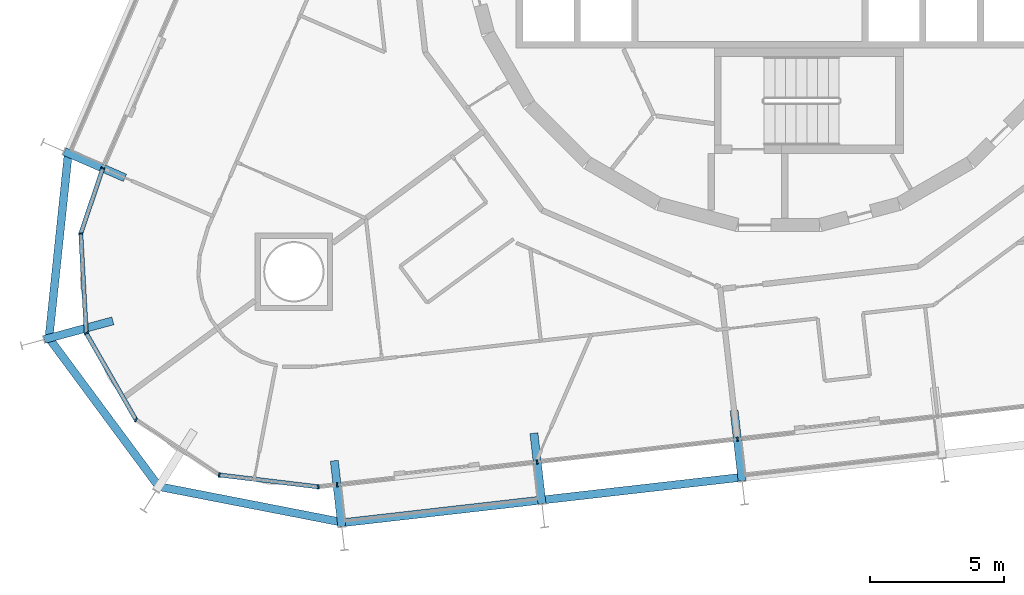
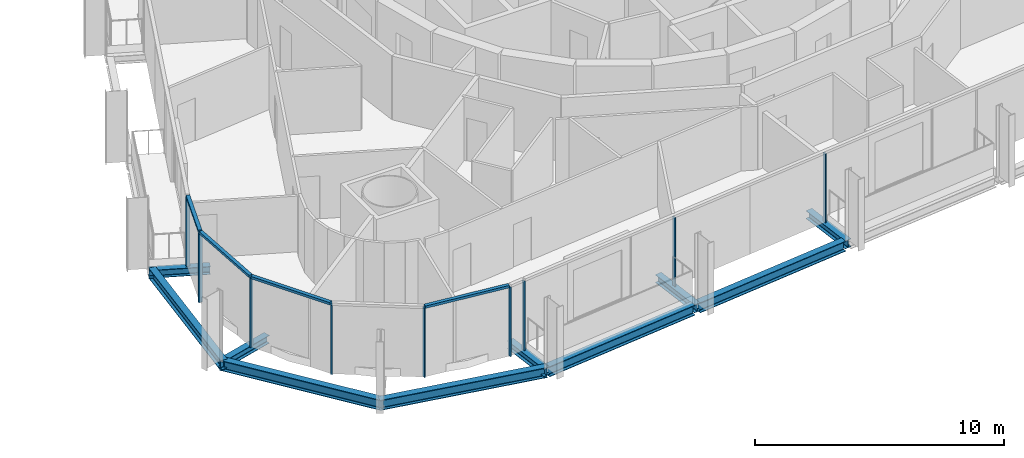
# One storey, part 3 of 24: 13 members, 10 beams, 2 elements without a shape of their own.
"""IFC4 building model written with IfcOpenShell, lengths in metres."""

from ifc_helpers import new_model, si_unit, direction, frame, origin, origin_2d, place, context, subcontext, project, spatial, rectangle, i_section, extrude, material, layer, layer_set, material_profile, profile_set, type_object, element, aggregate, save


model = new_model("IFC4")

# Units and contexts
model_context = context("Model", 3, precision=1e-05, world=origin(), true_north=direction((0.0, 1.0)))
body_context = subcontext(model_context, "Body", "Model", "MODEL_VIEW")
ifc_project = project(units=[si_unit("LENGTHUNIT", "METRE"), si_unit("AREAUNIT", "SQUARE_METRE"), si_unit("VOLUMEUNIT", "CUBIC_METRE"), si_unit("PLANEANGLEUNIT", "RADIAN"), si_unit("MASSUNIT", "GRAM", prefix="KILO")], contexts=[model_context])

# Site, building, storey
site_placement = place(None, origin())
site = spatial("IfcSite", under=ifc_project, at=site_placement, CompositionType="ELEMENT")
building_placement = place(site_placement, origin())
building = spatial("IfcBuilding", under=site, at=building_placement, Name="Spindle Arch Residences", CompositionType="ELEMENT")
storey_placement = place(building_placement, frame((0.0, 0.0, 87.199951171875)))
storey = spatial("IfcBuildingStorey", under=building, at=storey_placement, Name="L20", CompositionType="ELEMENT", Elevation=87.199951171875)

# Curtain wall, members
ifc_material_1 = material(Name="Aluminium bronze unitised frame with tinted glass", Category="aluminium")
ifc_layer_1 = layer(ifc_material_1, 0.159912109375)
ifc_layer_set_1 = layer_set([ifc_layer_1], Name="CW-D corner wall on the fillet arcs")
curtain_wall_type_1 = type_object("IfcCurtainWallType", Name="CW-D corner wall on the fillet arcs", PredefinedType="NOTDEFINED", material=ifc_layer_set_1)
curtain_wall_1_placement = place(storey_placement, origin())
curtain_wall_1 = element("IfcCurtainWall", 1, at=curtain_wall_1_placement, inside=storey, type_object=curtain_wall_type_1, Name="CW-D L20 run 5", PredefinedType="NOTDEFINED")
ifc_material_2 = material(Name="Aluminium bronze anodised mullion", Category="aluminium")
ifc_material_profile_1 = material_profile(ifc_material_2, rectangle(XDim=0.159912109375, YDim=0.06005859375, at=origin_2d()), Name="MU 60x160")
ifc_profile_set_1 = profile_set([ifc_material_profile_1], Name="Aluminium bronze anodised mullion")
member_type_1 = type_object("IfcMemberType", Name="Bronze mullion 60x160", PredefinedType="MULLION", material=ifc_profile_set_1)
member_1_placement = place(storey_placement, frame((-25.22900390625, -9.527099609375, -0.3798828125), z_axis=(0.0, 0.0, 1.0), x_axis=(0.947509671237, -0.319727106941, 0.0)))
member_1 = element("IfcMember", 2, at=member_1_placement, type_object=member_type_1, Name="CW-D mullion 00", PredefinedType="MULLION", context=body_context, shape_type="SweptSolid", body=[
    extrude(rectangle(XDim=0.159912109375, YDim=0.06005859375, at=origin_2d()), origin(), (0.0, 0.0, 1.0), 3.3798828125),
])
member_2_placement = place(storey_placement, frame((-26.052001953125, -11.96630859375, -0.3798828125), z_axis=(0.0, 0.0, 1.0), x_axis=(0.998473071057, 0.055240622495, 0.0)))
member_2 = element("IfcMember", 3, at=member_2_placement, type_object=member_type_1, Name="CW-D mullion 01", PredefinedType="MULLION", context=body_context, shape_type="SweptSolid", body=[
    extrude(rectangle(XDim=0.159912109375, YDim=0.06005859375, at=origin_2d()), origin(), (0.0, 0.0, 1.0), 3.3798828125),
])
member_3_placement = place(storey_placement, frame((-25.84619140625, -15.687255859375, -0.3798828125), z_axis=(0.0, 0.0, 1.0), x_axis=(0.867476179247, 0.497478721595, 0.0)))
member_3 = element("IfcMember", 4, at=member_3_placement, type_object=member_type_1, Name="CW-D mullion 02", PredefinedType="MULLION", context=body_context, shape_type="SweptSolid", body=[
    extrude(rectangle(XDim=0.159912109375, YDim=0.06005859375, at=origin_2d()), origin(), (0.0, 0.0, 1.0), 3.3798828125),
])
member_4_placement = place(storey_placement, frame((-23.9921875, -18.920166015625, -0.3798828125), z_axis=(0.0, 0.0, 1.0), x_axis=(0.551936987903, 0.833885820352, 0.0)))
member_4 = element("IfcMember", 5, at=member_4_placement, type_object=member_type_1, Name="CW-D mullion 03", PredefinedType="MULLION", context=body_context, shape_type="SweptSolid", body=[
    extrude(rectangle(XDim=0.159912109375, YDim=0.06005859375, at=origin_2d()), origin(), (0.0, 0.0, 1.0), 3.3798828125),
])
member_5_placement = place(storey_placement, frame((-20.884521484375, -20.97705078125, -0.3798828125), z_axis=(0.0, 0.0, 1.0), x_axis=(0.118981636756, 0.992896454881, 0.0)))
member_5 = element("IfcMember", 6, at=member_5_placement, type_object=member_type_1, Name="CW-D mullion 04", PredefinedType="MULLION", context=body_context, shape_type="SweptSolid", body=[
    extrude(rectangle(XDim=0.159912109375, YDim=0.06005859375, at=origin_2d()), origin(), (0.0, 0.0, 1.0), 3.3798828125),
])
member_6_placement = place(storey_placement, frame((-17.18408203125, -21.42041015625, -0.3798828125), z_axis=(0.0, 0.0, 1.0), x_axis=(-0.113203213768, 0.993571855677, 0.0)))
member_6 = element("IfcMember", 7, at=member_6_placement, type_object=member_type_1, Name="CW-D mullion 05", PredefinedType="MULLION", context=body_context, shape_type="SweptSolid", body=[
    extrude(rectangle(XDim=0.159912109375, YDim=0.06005859375, at=origin_2d()), origin(), (0.0, 0.0, 1.0), 3.3798828125),
])

ifc_material_3 = material(Name="Aluminium bronze unitised frame with tinted glass", Category="aluminium")
ifc_layer_2 = layer(ifc_material_3, 0.159912109375)
ifc_layer_set_2 = layer_set([ifc_layer_2], Name="CW-C typical residential unitised wall")
curtain_wall_type_2 = type_object("IfcCurtainWallType", Name="CW-C typical residential unitised wall", PredefinedType="NOTDEFINED", material=ifc_layer_set_2)
curtain_wall_2_placement = place(storey_placement, origin())
curtain_wall_2 = element("IfcCurtainWall", 8, at=curtain_wall_2_placement, inside=storey, type_object=curtain_wall_type_2, Name="CW-C L20 run 6", PredefinedType="NOTDEFINED")
member_7_placement = place(storey_placement, frame((-16.487060546875, -21.341064453125, -0.3798828125), z_axis=(0.0, 0.0, 1.0), x_axis=(-0.113203213768, 0.993571855677, 0.0)))
member_7 = element("IfcMember", 9, at=member_7_placement, type_object=member_type_1, Name="CW-C mullion 21", PredefinedType="MULLION", context=body_context, shape_type="SweptSolid", body=[
    extrude(rectangle(XDim=0.159912109375, YDim=0.06005859375, at=origin_2d()), origin(), (0.0, 0.0, 1.0), 3.3798828125),
])
member_8_placement = place(storey_placement, frame((-9.0166015625, -20.489990234375, -0.3798828125), z_axis=(0.0, 0.0, 1.0), x_axis=(-0.113203213768, 0.993571855677, 0.0)))
member_8 = element("IfcMember", 10, at=member_8_placement, type_object=member_type_1, Name="CW-C mullion 22", PredefinedType="MULLION", context=body_context, shape_type="SweptSolid", body=[
    extrude(rectangle(XDim=0.159912109375, YDim=0.06005859375, at=origin_2d()), origin(), (0.0, 0.0, 1.0), 3.3798828125),
])
member_9_placement = place(storey_placement, frame((-1.546142578125, -19.638671875, -0.3798828125), z_axis=(0.0, 0.0, 1.0), x_axis=(-0.113203213768, 0.993571855677, 0.0)))
member_9 = element("IfcMember", 11, at=member_9_placement, type_object=member_type_1, Name="CW-C mullion 23", PredefinedType="MULLION", context=body_context, shape_type="SweptSolid", body=[
    extrude(rectangle(XDim=0.159912109375, YDim=0.06005859375, at=origin_2d()), origin(), (0.0, 0.0, 1.0), 3.3798828125),
])
aggregate(curtain_wall_2, [member_7, member_8, member_9])

# Member
ifc_material_4 = material(Name="Aluminium bronze anodised transom", Category="aluminium")
ifc_material_profile_2 = material_profile(ifc_material_4, rectangle(XDim=0.159912109375, YDim=0.1201171875, at=origin_2d()), Name="TR 120x160")
ifc_profile_set_2 = profile_set([ifc_material_profile_2], Name="Aluminium bronze anodised transom")
member_type_2 = type_object("IfcMemberType", Name="Bronze transom 120x160", PredefinedType="USERDEFINED", material=ifc_profile_set_2)
member_10_placement = place(storey_placement, frame((-25.238525390625, -9.5556640625, 3.06005859375), z_axis=(-0.319779733892, -0.947491911201, 0.0), x_axis=(0.947491911201, -0.319779733892, 0.0)))
member_10 = element("IfcMember", 12, at=member_10_placement, type_object=member_type_2, Name="CW-D transom 00", ObjectType="TRANSOM", PredefinedType="USERDEFINED", context=body_context, shape_type="SweptSolid", body=[
    extrude(rectangle(XDim=0.159912109375, YDim=0.1201171875, at=origin_2d()), origin(), (0.0, 0.0, 1.0), 2.51416015625),
])

member_11_placement = place(storey_placement, frame((-26.05029296875, -11.99609375, 3.06005859375), z_axis=(0.055197130558, -0.998475476303, 0.0), x_axis=(0.998475476303, 0.055197130558, 0.0)))
member_11 = element("IfcMember", 13, at=member_11_placement, type_object=member_type_2, Name="CW-D transom 01", ObjectType="TRANSOM", PredefinedType="USERDEFINED", context=body_context, shape_type="SweptSolid", body=[
    extrude(rectangle(XDim=0.159912109375, YDim=0.1201171875, at=origin_2d()), origin(), (0.0, 0.0, 1.0), 3.666748046875),
])

member_12_placement = place(storey_placement, frame((-25.831298828125, -15.71337890625, 3.06005859375), z_axis=(0.497515065253, -0.867455335937, 0.0), x_axis=(0.867455335937, 0.497515065253, 0.0)))
member_12 = element("IfcMember", 14, at=member_12_placement, type_object=member_type_2, Name="CW-D transom 02", ObjectType="TRANSOM", PredefinedType="USERDEFINED", context=body_context, shape_type="SweptSolid", body=[
    extrude(rectangle(XDim=0.159912109375, YDim=0.1201171875, at=origin_2d()), origin(), (0.0, 0.0, 1.0), 3.666748046875),
])

member_13_placement = place(storey_placement, frame((-20.854736328125, -20.980712890625, 3.06005859375), z_axis=(0.992896987084, -0.118977195462, 0.0), x_axis=(0.118977195462, 0.992896987084, 0.0)))
member_13 = element("IfcMember", 15, at=member_13_placement, type_object=member_type_2, Name="CW-D transom 04", ObjectType="TRANSOM", PredefinedType="USERDEFINED", context=body_context, shape_type="SweptSolid", body=[
    extrude(rectangle(XDim=0.159912109375, YDim=0.1201171875, at=origin_2d()), origin(), (0.0, 0.0, 1.0), 3.6669921875),
])

aggregate(curtain_wall_1, [member_1, member_10, member_2, member_11, member_3, member_12, member_4, member_5, member_13, member_6])

# Beams
ifc_material_5 = material(Name="Steel S460ML, intumescent coating R 120", Category="steel")
ifc_material_profile_3 = material_profile(ifc_material_5, i_section(OverallWidth=0.300048828125, OverallDepth=0.5, WebThickness=0.014404296875, FlangeThickness=0.028076171875, FilletRadius=0.027099609375, at=origin_2d()), Name="HEB 500")
ifc_profile_set_3 = profile_set([ifc_material_profile_3], Name="Steel S460ML, intumescent coating R 120")
beam_type_1 = type_object("IfcBeamType", Name="Exoskeleton edge beam HEB 500", PredefinedType="BEAM", material=ifc_profile_set_3)
beam_1_placement = place(storey_placement, frame((-26.509521484375, -8.8935546875, -0.6298828125), z_axis=(-0.104068514681, -0.994570130384, 0.0), x_axis=(0.994570130384, -0.104068514681, 0.0)))
element("IfcBeam", 16, at=beam_1_placement, inside=storey, type_object=beam_type_1, Name="Exoskeleton edge beam 19", PredefinedType="BEAM", context=body_context, shape_type="SweptSolid", body=[
    extrude(i_section(OverallWidth=0.300048828125, OverallDepth=0.5, WebThickness=0.014404296875, FlangeThickness=0.028076171875, FilletRadius=0.027099609375, at=origin_2d()), origin(), (0.0, 0.0, 1.0), 7.09423828125),
])
beam_2_placement = place(storey_placement, frame((-27.297607421875, -15.791259765625, -0.6298828125), z_axis=(0.594811393653, -0.803865290942, 0.0), x_axis=(0.803865290942, 0.594811393653, 0.0)))
element("IfcBeam", 17, at=beam_2_placement, inside=storey, type_object=beam_type_1, Name="Exoskeleton edge beam 20", PredefinedType="BEAM", context=body_context, shape_type="SweptSolid", body=[
    extrude(i_section(OverallWidth=0.300048828125, OverallDepth=0.5, WebThickness=0.014404296875, FlangeThickness=0.028076171875, FilletRadius=0.027099609375, at=origin_2d()), origin(), (0.0, 0.0, 1.0), 7.08642578125),
])
beam_3_placement = place(storey_placement, frame((-23.218994140625, -21.39404296875, -0.6298828125), z_axis=(0.981537577594, -0.191269401033, 0.0), x_axis=(0.191269401033, 0.981537577594, 0.0)))
element("IfcBeam", 18, at=beam_3_placement, inside=storey, type_object=beam_type_1, Name="Exoskeleton edge beam 21", PredefinedType="BEAM", context=body_context, shape_type="SweptSolid", body=[
    extrude(i_section(OverallWidth=0.300048828125, OverallDepth=0.5, WebThickness=0.014404296875, FlangeThickness=0.028076171875, FilletRadius=0.027099609375, at=origin_2d()), origin(), (0.0, 0.0, 1.0), 7.09423828125),
])
for number, where, z_axis, x_axis, name in (
    (19, (-16.19580078125, -22.750244140625, -0.6298828125), (0.993570992395, 0.11321079044, 0.0), (-0.11321079044, 0.993570992395, 0.0), "Exoskeleton edge beam 22"),
    (20, (-8.725341796875, -21.899169921875, -0.6298828125), (0.993570992395, 0.11321079044, 0.0), (-0.11321079044, 0.993570992395, 0.0), "Exoskeleton edge beam 23"),
):
    element("IfcBeam", number, at=place(storey_placement, frame(where, z_axis=z_axis, x_axis=x_axis)), inside=storey, type_object=beam_type_1, Name=name, PredefinedType="BEAM", context=body_context, shape_type="SweptSolid", body=[
        extrude(i_section(OverallWidth=0.300048828125, OverallDepth=0.5, WebThickness=0.014404296875, FlangeThickness=0.028076171875, FilletRadius=0.027099609375, at=origin_2d()), origin(), (0.0, 0.0, 1.0), 7.2587890625),
    ])
ifc_material_6 = material(Name="Steel S460ML, intumescent coating R 120", Category="steel")
ifc_material_profile_4 = material_profile(ifc_material_6, i_section(OverallWidth=0.300048828125, OverallDepth=0.389892578125, WebThickness=0.010986328125, FlangeThickness=0.01904296875, FilletRadius=0.027099609375, at=origin_2d()), Name="HEA 400")
ifc_profile_set_4 = profile_set([ifc_material_profile_4], Name="Steel S460ML, intumescent coating R 120")
beam_type_2 = type_object("IfcBeamType", Name="Floor outrigger HEA 400", PredefinedType="BEAM", material=ifc_profile_set_4)
beam_4_placement = place(storey_placement, frame((-26.668701171875, -8.901123046875, -0.574951171875), z_axis=(0.917057489876, -0.398755012836, 0.0), x_axis=(0.398755012836, 0.917057489876, 0.0)))
element("IfcBeam", 21, at=beam_4_placement, inside=storey, type_object=beam_type_2, Name="Floor outrigger 19", PredefinedType="BEAM", context=body_context, shape_type="SweptSolid", body=[
    extrude(i_section(OverallWidth=0.300048828125, OverallDepth=0.389892578125, WebThickness=0.010986328125, FlangeThickness=0.01904296875, FilletRadius=0.027099609375, at=origin_2d()), origin(), (0.0, 0.0, 1.0), 2.47119140625),
])
beam_5_placement = place(storey_placement, frame((-27.41259765625, -15.918212890625, -0.574951171875), z_axis=(0.965139144412, 0.261737333837, 0.0), x_axis=(-0.261737333837, 0.965139144412, 0.0)))
element("IfcBeam", 22, at=beam_5_placement, inside=storey, type_object=beam_type_2, Name="Floor outrigger 20", PredefinedType="BEAM", context=body_context, shape_type="SweptSolid", body=[
    extrude(i_section(OverallWidth=0.300048828125, OverallDepth=0.389892578125, WebThickness=0.010986328125, FlangeThickness=0.01904296875, FilletRadius=0.027099609375, at=origin_2d()), origin(), (0.0, 0.0, 1.0), 2.64990234375),
])
beam_6_placement = place(storey_placement, frame((-16.309326171875, -22.90087890625, -0.574951171875), z_axis=(-0.113228917078, 0.993568926818, 0.0), x_axis=(-0.993568926818, -0.113228917078, 0.0)))
element("IfcBeam", 23, at=beam_6_placement, inside=storey, type_object=beam_type_2, Name="Floor outrigger 22", PredefinedType="BEAM", context=body_context, shape_type="SweptSolid", body=[
    extrude(i_section(OverallWidth=0.300048828125, OverallDepth=0.389892578125, WebThickness=0.010986328125, FlangeThickness=0.01904296875, FilletRadius=0.027099609375, at=origin_2d()), origin(), (0.0, 0.0, 1.0), 2.470947265625),
])
beam_7_placement = place(storey_placement, frame((-8.8388671875, -22.0498046875, -0.574951171875), z_axis=(-0.113232173128, 0.993568555747, 0.0), x_axis=(-0.993568555747, -0.113232173128, 0.0)))
element("IfcBeam", 24, at=beam_7_placement, inside=storey, type_object=beam_type_2, Name="Floor outrigger 23", PredefinedType="BEAM", context=body_context, shape_type="SweptSolid", body=[
    extrude(i_section(OverallWidth=0.300048828125, OverallDepth=0.389892578125, WebThickness=0.010986328125, FlangeThickness=0.01904296875, FilletRadius=0.027099609375, at=origin_2d()), origin(), (0.0, 0.0, 1.0), 2.64990234375),
])
beam_8_placement = place(storey_placement, frame((-1.368408203125, -21.19873046875, -0.574951171875), z_axis=(-0.113221808681, 0.993569736878, 0.0), x_axis=(-0.993569736878, -0.113221808681, 0.0)))
element("IfcBeam", 25, at=beam_8_placement, inside=storey, type_object=beam_type_2, Name="Floor outrigger 24", PredefinedType="BEAM", context=body_context, shape_type="SweptSolid", body=[
    extrude(i_section(OverallWidth=0.300048828125, OverallDepth=0.389892578125, WebThickness=0.010986328125, FlangeThickness=0.01904296875, FilletRadius=0.027099609375, at=origin_2d()), origin(), (0.0, 0.0, 1.0), 2.650146484375),
])

save(model, "model.ifc")
